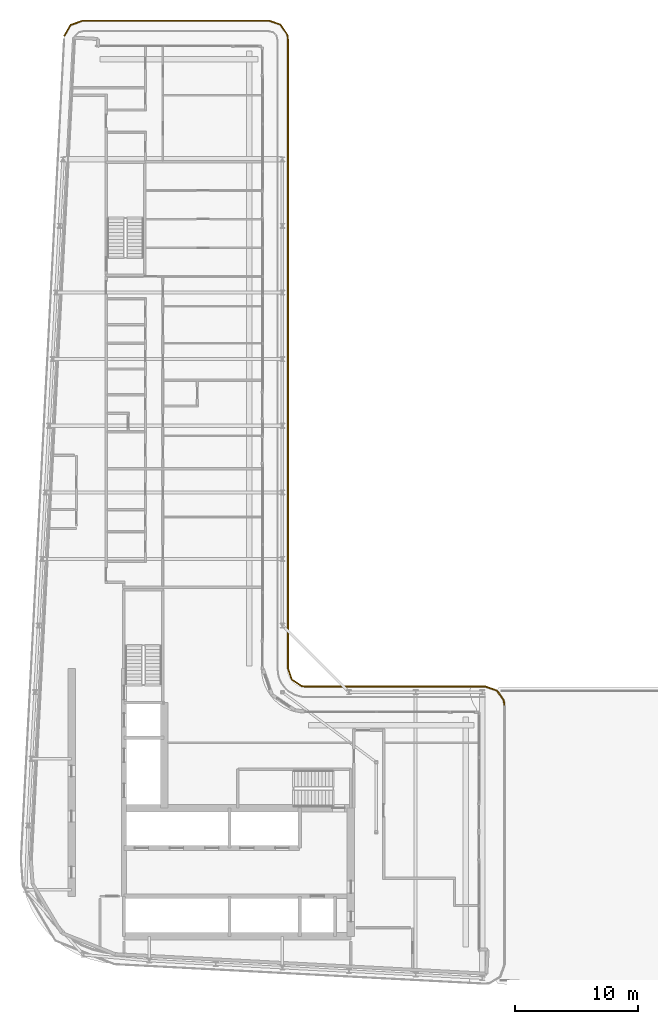
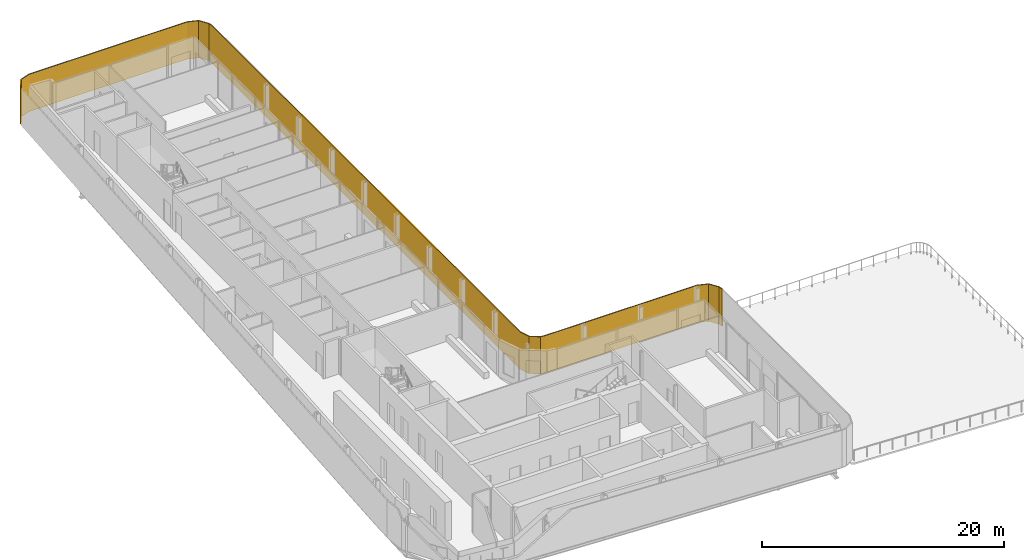
# One storey, part 21 of 22: 1 shading device.
"""IFC4 building model written with IfcOpenShell, lengths in metres."""

from ifc_helpers import new_model, si_unit, direction, frame, origin, place, context, subcontext, project, spatial, polyline, outline, extrude, material, layer, layer_set, type_object, element, save


model = new_model("IFC4")

# Units and contexts
model_context = context("Model", 3, precision=1e-05, world=origin(), true_north=direction((0.0, 1.0)))
body_context = subcontext(model_context, "Body", "Model", "MODEL_VIEW")
ifc_project = project(units=[si_unit("LENGTHUNIT", "METRE"), si_unit("AREAUNIT", "SQUARE_METRE"), si_unit("VOLUMEUNIT", "CUBIC_METRE"), si_unit("PLANEANGLEUNIT", "RADIAN"), si_unit("MASSUNIT", "GRAM", prefix="KILO")], contexts=[model_context])

# Site, building, storey
site_placement = place(None, origin())
site = spatial("IfcSite", under=ifc_project, at=site_placement, CompositionType="ELEMENT")
building_placement = place(site_placement, origin())
building = spatial("IfcBuilding", under=site, at=building_placement, Name="Kheshtan School and Residences Tower", CompositionType="ELEMENT")
storey_placement = place(building_placement, frame((0.0, 0.0, 274.699951171875)))
storey = spatial("IfcBuildingStorey", under=building, at=storey_placement, Name="L64", CompositionType="ELEMENT", Elevation=274.699951171875)

# Shading device
ifc_material = material(Name="Terracotta lattice, extruded ceramic", Category="masonry")
ifc_layer = layer(ifc_material, 0.10009765625)
ifc_layer_set = layer_set([ifc_layer], Name="Loggia screen, terracotta lattice")
shading_device_type = type_object("IfcShadingDeviceType", Name="Loggia screen, terracotta lattice", PredefinedType="USERDEFINED", material=ifc_layer_set)
shading_device_placement = place(storey_placement, origin())
element("IfcShadingDevice", 1, at=shading_device_placement, inside=storey, type_object=shading_device_type, Name="Screen L64 1", ObjectType="SCREEN", PredefinedType="USERDEFINED", context=body_context, shape_type="SweptSolid", body=[
    extrude(outline(polyline([(29.949951171875, 98.783935546875), (30.468017578125, 99.656982421875), (31.423095703125, 100.0), (46.5, 100.0), (47.4130859375, 99.68994140625), (47.948974609375, 98.887939453125), (48.0, 98.5), (48.0, 47.5), (48.31005859375, 46.5869140625), (49.112060546875, 46.051025390625), (49.5, 46.0), (64.050048828125, 46.0), (64.962890625, 45.68994140625), (65.4990234375, 44.887939453125), (65.550048828125, 44.5), (65.64892578125, 44.512939453125), (65.594970703125, 44.924072265625), (65.027099609375, 45.77392578125), (64.06689453125, 46.10009765625), (49.507080078125, 46.10009765625), (49.14794921875, 46.14697265625), (48.39404296875, 46.65087890625), (48.10009765625, 47.51708984375), (48.10009765625, 98.507080078125), (48.044921875, 98.924072265625), (47.47705078125, 99.77392578125), (46.51708984375, 100.10009765625), (31.406005859375, 100.10009765625), (30.39990234375, 99.739013671875), (29.864013671875, 98.8349609375), (29.949951171875, 98.783935546875)])), origin(), (0.0, 0.0, 1.0), 3.75),
])

save(model, "model.ifc")
